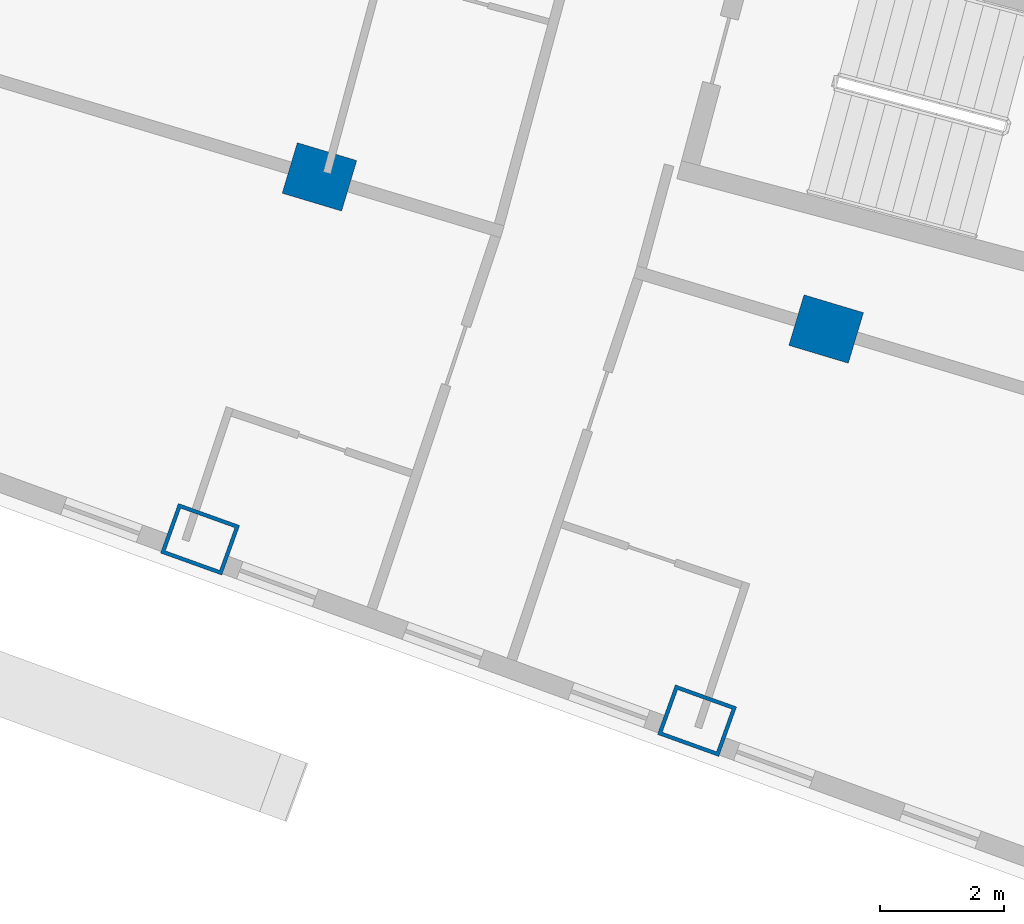
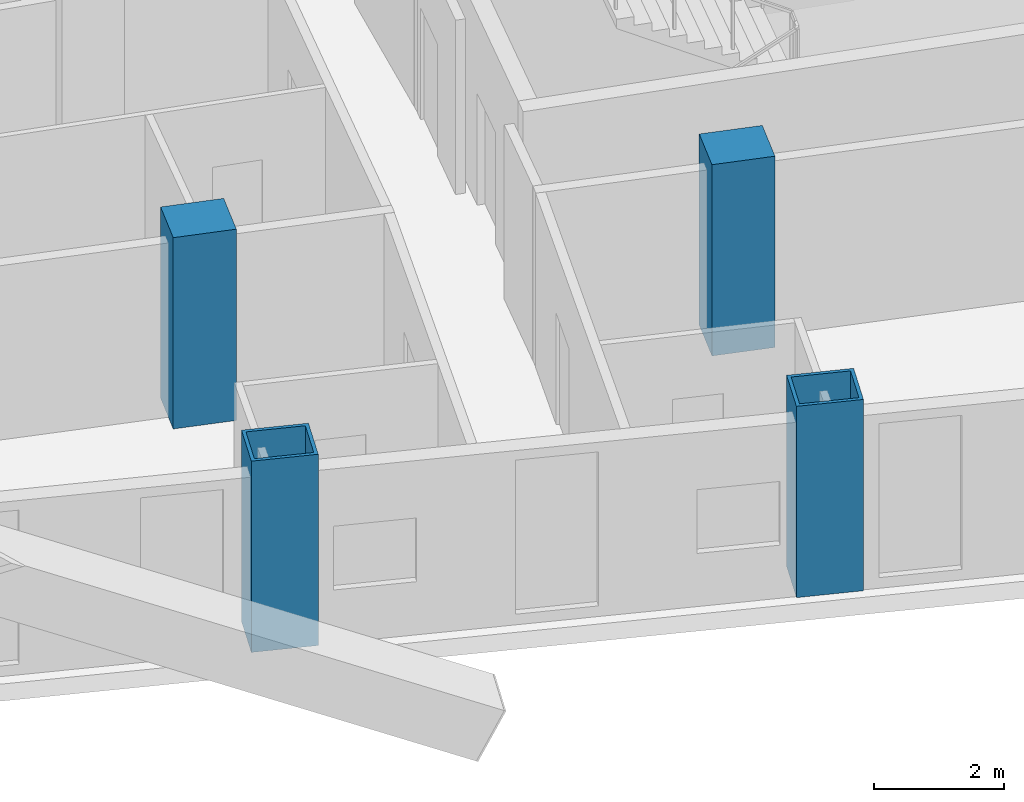
# One storey, part 2 of 25: 4 columns.
"""IFC4 building model written with IfcOpenShell, lengths in metres."""

from ifc_helpers import new_model, si_unit, direction, frame, origin, origin_2d, place, context, subcontext, project, spatial, rectangle, hollow_rectangle, extrude, material, material_profile, profile_set, type_object, element, save


model = new_model("IFC4")

# Units and contexts
model_context = context("Model", 3, precision=1e-05, world=origin(), true_north=direction((0.0, 1.0)))
body_context = subcontext(model_context, "Body", "Model", "MODEL_VIEW")
ifc_project = project(units=[si_unit("LENGTHUNIT", "METRE"), si_unit("AREAUNIT", "SQUARE_METRE"), si_unit("VOLUMEUNIT", "CUBIC_METRE"), si_unit("PLANEANGLEUNIT", "RADIAN"), si_unit("MASSUNIT", "GRAM", prefix="KILO")], contexts=[model_context])

# Site, building, storey
site_placement = place(None, origin())
site = spatial("IfcSite", under=ifc_project, at=site_placement, CompositionType="ELEMENT")
building_placement = place(site_placement, origin())
building = spatial("IfcBuilding", under=site, at=building_placement, Name="Alderwake Tower", CompositionType="ELEMENT")
storey_placement = place(building_placement, frame((0.0, 0.0, 93.199951171875)))
storey = spatial("IfcBuildingStorey", under=building, at=storey_placement, Name="L22", CompositionType="ELEMENT", Elevation=93.199951171875)

# Columns
ifc_material_1 = material(Name="Steel ASTM A572 Grade 50 concrete filled C70/85", Category="concrete")
ifc_material_profile_1 = material_profile(ifc_material_1, hollow_rectangle(XDim=0.85009765625, YDim=1.050048828125, WallThickness=0.06005859375, at=origin_2d()), Name="BOX 1050X850X60")
ifc_profile_set_1 = profile_set([ifc_material_profile_1], Name="Steel ASTM A572 Grade 50 concrete filled C70/85")
column_type_1 = type_object("IfcColumnType", Name="End column Z2", PredefinedType="COLUMN", material=ifc_profile_set_1)
for number, where, z_axis, x_axis, name in (
    (1, (28.983642578125, 21.856689453125, 0.0), (0.0, 0.0, 1.0), (0.338026774049, 0.941136493834, 0.0), "Column R01-C2"),
    (2, (36.999755859375, 18.930419921875, 0.0), (0.0, 0.0, 1.0), (0.338360199215, 0.941016671259, 0.0), "Column R01-C3"),
):
    element("IfcColumn", number, at=place(storey_placement, frame(where, z_axis=z_axis, x_axis=x_axis)), inside=storey, type_object=column_type_1, Name=name, PredefinedType="COLUMN", context=body_context, shape_type="SweptSolid", body=[
        extrude(hollow_rectangle(XDim=0.85009765625, YDim=1.050048828125, WallThickness=0.06005859375, at=origin_2d()), origin(), (0.0, 0.0, 1.0), 3.60009765625),
    ])
ifc_material_2 = material(Name="Concrete C70/85", Category="concrete")
ifc_material_profile_2 = material_profile(ifc_material_2, rectangle(XDim=0.85009765625, YDim=1.0, at=origin_2d()), Name="RC 1000X850")
ifc_profile_set_2 = profile_set([ifc_material_profile_2], Name="Concrete C70/85")
column_type_2 = type_object("IfcColumnType", Name="Interior column Z2", PredefinedType="COLUMN", material=ifc_profile_set_2)
for number, where, z_axis, x_axis, name in (
    (3, (30.9091796875, 27.701904296875, 0.0), (0.0, 0.0, 1.0), (0.287549418125, 0.957765802342, 0.0), "Column R02-C2"),
    (4, (39.082275390625, 25.248046875, 0.0), (0.0, 0.0, 1.0), (0.287549418125, 0.957765802342, 0.0), "Column R02-C3"),
):
    element("IfcColumn", number, at=place(storey_placement, frame(where, z_axis=z_axis, x_axis=x_axis)), inside=storey, type_object=column_type_2, Name=name, PredefinedType="COLUMN", context=body_context, shape_type="SweptSolid", body=[
        extrude(rectangle(XDim=0.85009765625, YDim=1.0, at=origin_2d()), origin(), (0.0, 0.0, 1.0), 3.60009765625),
    ])

save(model, "model.ifc")
